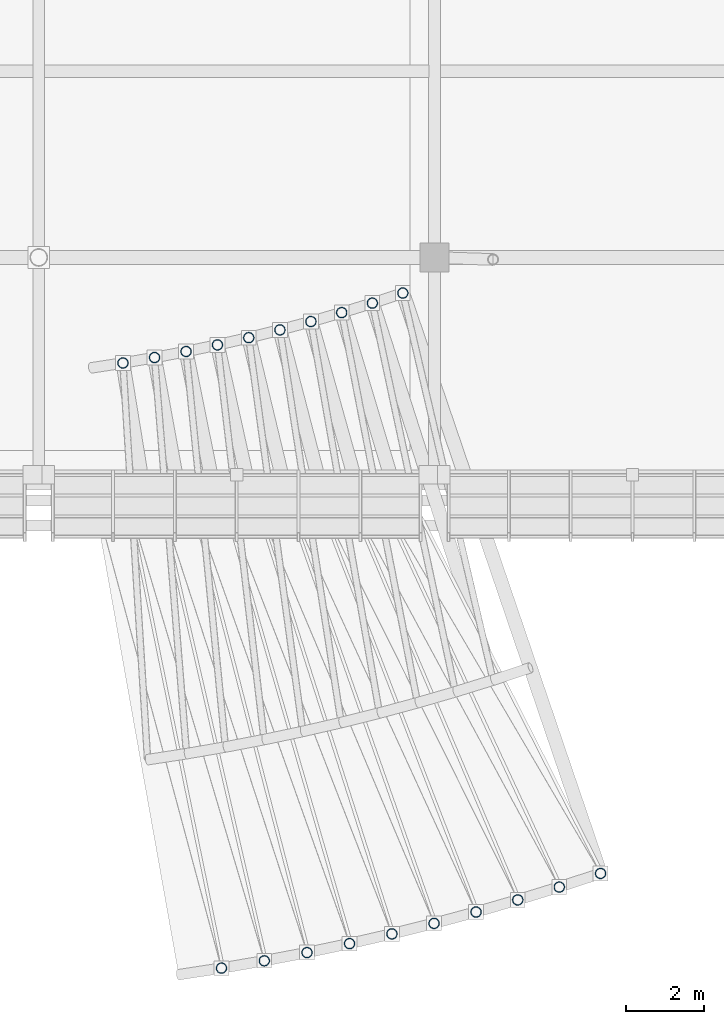
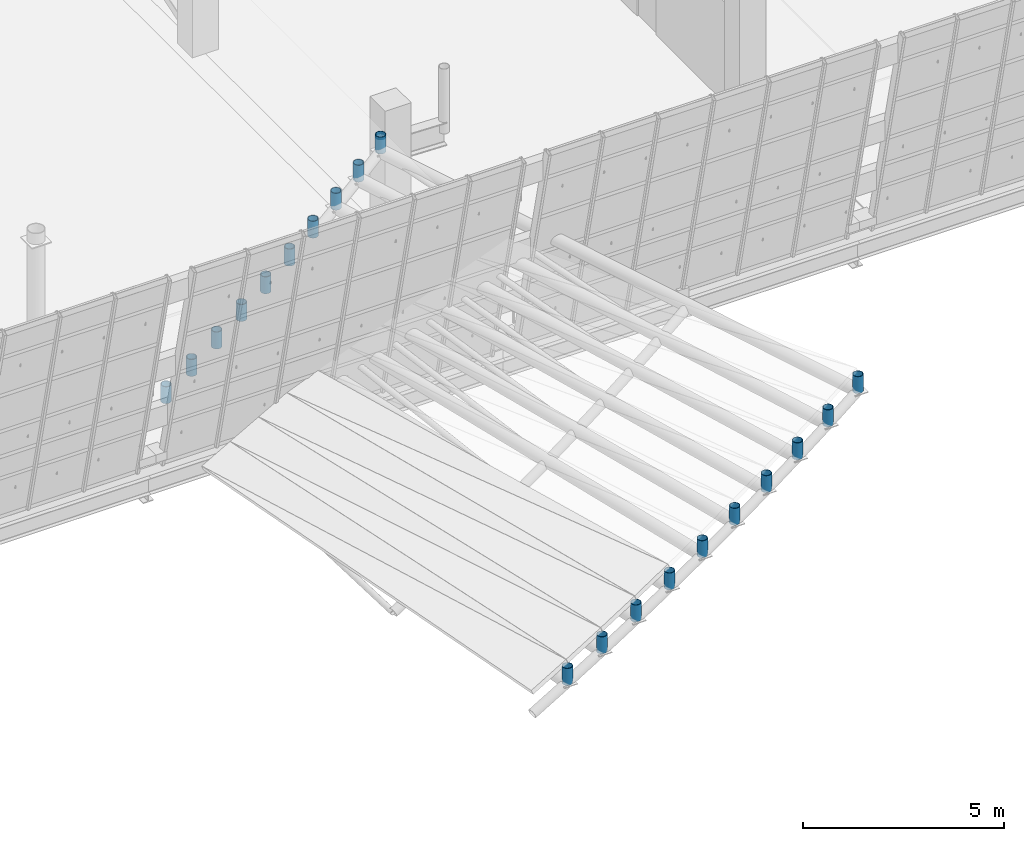
# One storey, part 99 of 157: 20 members.
"""IFC4 building model written with IfcOpenShell, lengths in metres."""

from ifc_helpers import new_model, si_unit, direction, frame, origin, origin_2d, place, context, subcontext, project, spatial, hollow_circle, extrude, material, material_profile, profile_set, type_object, element, save


model = new_model("IFC4")

# Units and contexts
model_context = context("Model", 3, precision=1e-05, world=origin(), true_north=direction((0.0, 1.0)))
body_context = subcontext(model_context, "Body", "Model", "MODEL_VIEW")
ifc_project = project(units=[si_unit("LENGTHUNIT", "METRE"), si_unit("AREAUNIT", "SQUARE_METRE"), si_unit("VOLUMEUNIT", "CUBIC_METRE"), si_unit("PLANEANGLEUNIT", "RADIAN"), si_unit("MASSUNIT", "GRAM", prefix="KILO")], contexts=[model_context])

# Site, building, storey
site_placement = place(None, origin())
site = spatial("IfcSite", under=ifc_project, at=site_placement, CompositionType="ELEMENT")
building_placement = place(site_placement, origin())
building = spatial("IfcBuilding", under=site, at=building_placement, Name="Brelvane Convention Centre", CompositionType="ELEMENT")
storey_placement = place(building_placement, frame((0.0, 0.0, 10.800048828125)))
storey = spatial("IfcBuildingStorey", under=building, at=storey_placement, Name="L02", CompositionType="ELEMENT", Elevation=10.800048828125)

# Members
ifc_material = material(Name="Steel E350 (350 MPa)", Category="steel")
ifc_material_profile = material_profile(ifc_material, hollow_circle(Radius=0.136474609375, WallThickness=0.012451171875, at=origin_2d()), Name="CHS 273.0x12.5")
ifc_profile_set = profile_set([ifc_material_profile], Name="Steel E350 (350 MPa)")
member_type = type_object("IfcMemberType", Name="Steel Strut SF-VT1 (CHS 273.0x12.5)", PredefinedType="STRUT", material=ifc_profile_set)
for number, where, z_axis, x_axis, name in (
    (1, (162.38232421875, 18.28271484375, 3.4765625), (0.0, 0.0, 1.0), (1.0, 0.0, 0.0), "Boulevard Canopy Deck Stand-off Post 03-IN"),
    (2, (167.477294921875, 3.32666015625, 3.4765625), (0.0, 0.0, 1.0), (1.0, 0.0, 0.0), "Boulevard Canopy Deck Stand-off Post 03-OUT"),
):
    element("IfcMember", number, at=place(storey_placement, frame(where, z_axis=z_axis, x_axis=x_axis)), inside=storey, type_object=member_type, Name=name, PredefinedType="STRUT", context=body_context, shape_type="SweptSolid", body=[
        extrude(hollow_circle(Radius=0.136474609375, WallThickness=0.012451171875, at=origin_2d()), origin(), (0.0, 0.0, 1.0), 0.514892578125),
    ])
for number, where, z_axis, x_axis, name in (
    (3, (161.596923828125, 18.023193359375, 3.052978515625), (0.0, 0.0, 1.0), (1.0, 0.0, 0.0), "Boulevard Canopy Deck Stand-off Post 04-IN"),
    (4, (166.413818359375, 2.975341796875, 3.052978515625), (0.0, 0.0, 1.0), (1.0, 0.0, 0.0), "Boulevard Canopy Deck Stand-off Post 04-OUT"),
    (5, (160.806884765625, 17.7783203125, 2.625), (0.0, 0.0, 1.0), (1.0, 0.0, 0.0), "Boulevard Canopy Deck Stand-off Post 05-IN"),
    (6, (165.343994140625, 2.643798828125, 2.625), (0.0, 0.0, 1.0), (1.0, 0.0, 0.0), "Boulevard Canopy Deck Stand-off Post 05-OUT"),
):
    element("IfcMember", number, at=place(storey_placement, frame(where, z_axis=z_axis, x_axis=x_axis)), inside=storey, type_object=member_type, Name=name, PredefinedType="STRUT", context=body_context, shape_type="SweptSolid", body=[
        extrude(hollow_circle(Radius=0.136474609375, WallThickness=0.012451171875, at=origin_2d()), origin(), (0.0, 0.0, 1.0), 0.51513671875),
    ])
for number, where, z_axis, x_axis, name in (
    (7, (160.0126953125, 17.548095703125, 2.192626953125), (0.0, 0.0, 1.0), (1.0, 0.0, 0.0), "Boulevard Canopy Deck Stand-off Post 06-IN"),
    (8, (164.26806640625, 2.33203125, 2.192626953125), (0.0, 0.0, 1.0), (1.0, 0.0, 0.0), "Boulevard Canopy Deck Stand-off Post 06-OUT"),
):
    element("IfcMember", number, at=place(storey_placement, frame(where, z_axis=z_axis, x_axis=x_axis)), inside=storey, type_object=member_type, Name=name, PredefinedType="STRUT", context=body_context, shape_type="SweptSolid", body=[
        extrude(hollow_circle(Radius=0.136474609375, WallThickness=0.012451171875, at=origin_2d()), origin(), (0.0, 0.0, 1.0), 0.514892578125),
    ])
for number, where, z_axis, x_axis, name in (
    (9, (159.214111328125, 17.332763671875, 1.755615234375), (0.0, 0.0, 1.0), (1.0, 0.0, 0.0), "Boulevard Canopy Deck Stand-off Post 07-IN"),
    (10, (163.186767578125, 2.040283203125, 1.755615234375), (0.0, 0.0, 1.0), (1.0, 0.0, 0.0), "Boulevard Canopy Deck Stand-off Post 07-OUT"),
):
    element("IfcMember", number, at=place(storey_placement, frame(where, z_axis=z_axis, x_axis=x_axis)), inside=storey, type_object=member_type, Name=name, PredefinedType="STRUT", context=body_context, shape_type="SweptSolid", body=[
        extrude(hollow_circle(Radius=0.136474609375, WallThickness=0.012451171875, at=origin_2d()), origin(), (0.0, 0.0, 1.0), 0.51513671875),
    ])
for number, where, z_axis, x_axis, name in (
    (11, (158.41162109375, 17.13232421875, 1.314208984375), (0.0, 0.0, 1.0), (1.0, 0.0, 0.0), "Boulevard Canopy Deck Stand-off Post 08-IN"),
    (12, (162.10009765625, 1.768798828125, 1.314208984375), (0.0, 0.0, 1.0), (1.0, 0.0, 0.0), "Boulevard Canopy Deck Stand-off Post 08-OUT"),
):
    element("IfcMember", number, at=place(storey_placement, frame(where, z_axis=z_axis, x_axis=x_axis)), inside=storey, type_object=member_type, Name=name, PredefinedType="STRUT", context=body_context, shape_type="SweptSolid", body=[
        extrude(hollow_circle(Radius=0.136474609375, WallThickness=0.012451171875, at=origin_2d()), origin(), (0.0, 0.0, 1.0), 0.514892578125),
    ])
for number, where, z_axis, x_axis, name in (
    (13, (157.605712890625, 16.94677734375, 0.8681640625), (0.0, 0.0, 1.0), (1.0, 0.0, 0.0), "Boulevard Canopy Deck Stand-off Post 09-IN"),
    (14, (161.008544921875, 1.517578125, 0.8681640625), (0.0, 0.0, 1.0), (1.0, 0.0, 0.0), "Boulevard Canopy Deck Stand-off Post 09-OUT"),
    (15, (156.79638671875, 16.776123046875, 0.417724609375), (0.0, 0.0, 1.0), (1.0, 0.0, 0.0), "Boulevard Canopy Deck Stand-off Post 10-IN"),
    (16, (159.91259765625, 1.286376953125, 0.417724609375), (0.0, 0.0, 1.0), (1.0, 0.0, 0.0), "Boulevard Canopy Deck Stand-off Post 10-OUT"),
    (17, (155.984130859375, 16.62060546875, -0.037353515625), (0.0, 0.0, 1.0), (1.0, 0.0, 0.0), "Boulevard Canopy Deck Stand-off Post 11-IN"),
    (18, (158.8125, 1.07568359375, -0.037353515625), (0.0, 0.0, 1.0), (1.0, 0.0, 0.0), "Boulevard Canopy Deck Stand-off Post 11-OUT"),
):
    element("IfcMember", number, at=place(storey_placement, frame(where, z_axis=z_axis, x_axis=x_axis)), inside=storey, type_object=member_type, Name=name, PredefinedType="STRUT", context=body_context, shape_type="SweptSolid", body=[
        extrude(hollow_circle(Radius=0.136474609375, WallThickness=0.012451171875, at=origin_2d()), origin(), (0.0, 0.0, 1.0), 0.51513671875),
    ])
for number, where, z_axis, x_axis, name in (
    (19, (155.169189453125, 16.47998046875, -0.49658203125), (0.0, 0.0, 1.0), (1.0, 0.0, 0.0), "Boulevard Canopy Deck Stand-off Post 12-IN"),
    (20, (157.708984375, 0.885498046875, -0.49658203125), (0.0, 0.0, 1.0), (1.0, 0.0, 0.0), "Boulevard Canopy Deck Stand-off Post 12-OUT"),
):
    element("IfcMember", number, at=place(storey_placement, frame(where, z_axis=z_axis, x_axis=x_axis)), inside=storey, type_object=member_type, Name=name, PredefinedType="STRUT", context=body_context, shape_type="SweptSolid", body=[
        extrude(hollow_circle(Radius=0.136474609375, WallThickness=0.012451171875, at=origin_2d()), origin(), (0.0, 0.0, 1.0), 0.514892578125),
    ])

save(model, "model.ifc")
